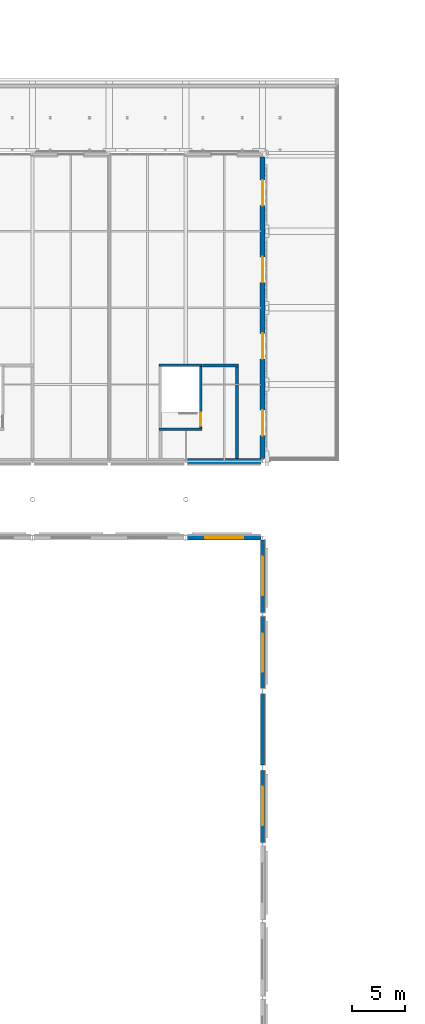
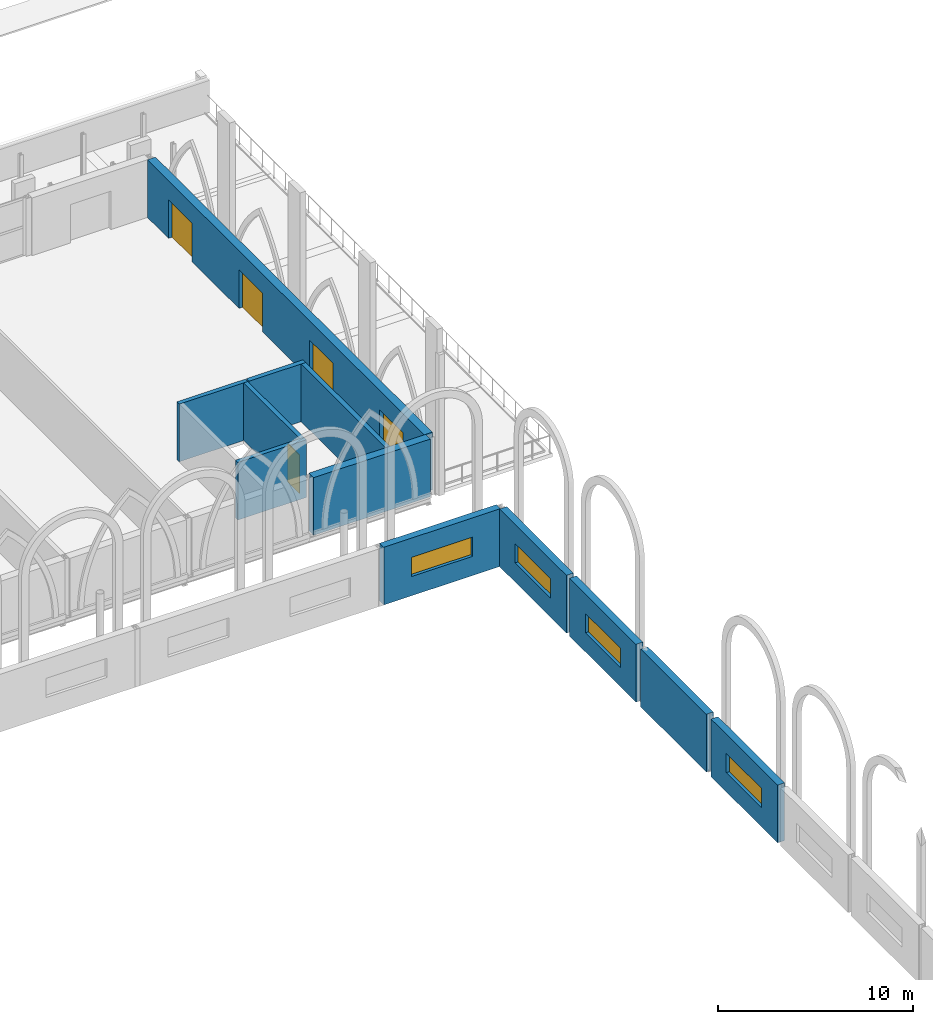
# One storey, part 84 of 143: 12 walls, 5 doors, 4 windows, 9 openings.
"""IFC4 building model written with IfcOpenShell, lengths in metres."""

from ifc_helpers import new_model, si_unit, direction, frame, frame_2d, origin, place, context, subcontext, project, spatial, rectangle, extrude, material, layer, layer_set, type_object, element, fill, save


model = new_model("IFC4")

# Units and contexts
model_context = context("Model", 3, precision=1e-05, world=origin(), true_north=direction((0.0, 1.0)))
body_context = subcontext(model_context, "Body", "Model", "MODEL_VIEW")
ifc_project = project(units=[si_unit("LENGTHUNIT", "METRE"), si_unit("AREAUNIT", "SQUARE_METRE"), si_unit("VOLUMEUNIT", "CUBIC_METRE"), si_unit("PLANEANGLEUNIT", "RADIAN"), si_unit("MASSUNIT", "GRAM", prefix="KILO")], contexts=[model_context])

# Site, building, storey
site_placement = place(None, origin())
site = spatial("IfcSite", under=ifc_project, at=site_placement, CompositionType="ELEMENT")
building_placement = place(site_placement, origin())
building = spatial("IfcBuilding", under=site, at=building_placement, Name="Kupolbacken Congress Centre", CompositionType="ELEMENT")
storey_placement = place(building_placement, frame((0.0, 0.0, 7.199951171875)))
storey = spatial("IfcBuildingStorey", under=building, at=storey_placement, Name="L02", CompositionType="ELEMENT", Elevation=7.199951171875)

# Wall, opening, window
ifc_material_1 = material(Name="Brick", Category="masonry")
ifc_layer_1 = layer(ifc_material_1, 0.10791015625)
ifc_material_2 = material(Name="Air cavity", Category="air")
ifc_layer_2 = layer(ifc_material_2, 0.0400390625, ventilated=True)
ifc_material_3 = material(Name="Mineral wool", Category="insulation")
ifc_layer_3 = layer(ifc_material_3, 0.152099609375)
ifc_material_4 = material(Name="Concrete block", Category="masonry")
ifc_layer_4 = layer(ifc_material_4, 0.1201171875)
ifc_layer_set_1 = layer_set([ifc_layer_1, ifc_layer_2, ifc_layer_3, ifc_layer_4], Name="Brick / Mineral wool / Concrete block")
wall_type_1 = type_object("IfcWallType", Name="EW04 external cavity wall 420", PredefinedType="SOLIDWALL", material=ifc_layer_set_1)
wall_1_placement = place(storey_placement, frame((201.60009765625, 86.544921875, 0.0), z_axis=(0.0, 0.0, 1.0), x_axis=(0.0, 1.0, 0.0)))
wall_1 = element("IfcWall", 1, at=wall_1_placement, inside=storey, type_object=wall_type_1, Name="E/H/E/L02/252", PredefinedType="SOLIDWALL", context=body_context, shape_type="SweptSolid", body=[
    extrude(rectangle(XDim=6.81005859375, YDim=0.419921875, at=frame_2d((3.405029296875, 0.0))), origin(), (0.0, 0.0, 1.0), 3.60009765625),
])
opening_1_placement = place(wall_1_placement, frame((1.655029296875, 0.0, 1.199951171875)))
opening_1 = element("IfcOpeningElement", 2, at=opening_1_placement, cuts=wall_1, Name="Opening W12", PredefinedType="OPENING", context=body_context, shape_type="SweptSolid", body=[
    extrude(rectangle(XDim=3.60009765625, YDim=1.199951171875, at=frame_2d((1.800048828125, 0.60009765625))), frame((0.0, 0.219970703125, 0.0), z_axis=(0.0, -1.0, 0.0), x_axis=(1.0, 0.0, 0.0)), (0.0, 0.0, 1.0), 0.43994140625),
])
ifc_material_5 = material(Name="Aluminium frame with double or triple glazing", Category="aluminium")
window_type = type_object("IfcWindowType", Name="W12 window 3600x1200", PartitioningType="TRIPLE_PANEL_VERTICAL", PredefinedType="WINDOW", material=ifc_material_5)
window_1_placement = place(opening_1_placement, origin())
window_1 = element("IfcWindow", 3, at=window_1_placement, inside=storey, type_object=window_type, Name="E/H/E/L02/252/W1", OverallHeight=1.199951171875, OverallWidth=3.60009765625, PartitioningType="SINGLE_PANEL", PredefinedType="WINDOW", context=body_context, shape_type="SweptSolid", body=[
    extrude(rectangle(XDim=3.60009765625, YDim=1.199951171875, at=frame_2d((1.800048828125, 0.60009765625))), frame((0.0, 0.030029296875, 0.0), z_axis=(0.0, -1.0, 0.0), x_axis=(1.0, 0.0, 0.0)), (0.0, 0.0, 1.0), 0.06005859375),
])
fill(opening_1, window_1)

# Wall
wall_2_placement = place(storey_placement, frame((201.60009765625, 93.844970703125, 0.0), z_axis=(0.0, 0.0, 1.0), x_axis=(0.0, 1.0, 0.0)))
element("IfcWall", 4, at=wall_2_placement, inside=storey, type_object=wall_type_1, Name="E/H/E/L02/253", PredefinedType="SOLIDWALL", context=body_context, shape_type="SweptSolid", body=[
    extrude(rectangle(XDim=6.7099609375, YDim=0.419921875, at=frame_2d((3.35498046875, 0.0))), origin(), (0.0, 0.0, 1.0), 3.60009765625),
])

# Wall, opening, window
wall_3_placement = place(storey_placement, frame((201.60009765625, 101.044921875, 0.0), z_axis=(0.0, 0.0, 1.0), x_axis=(0.0, 1.0, 0.0)))
wall_3 = element("IfcWall", 5, at=wall_3_placement, inside=storey, type_object=wall_type_1, Name="E/H/E/L02/254", PredefinedType="SOLIDWALL", context=body_context, shape_type="SweptSolid", body=[
    extrude(rectangle(XDim=6.81005859375, YDim=0.419921875, at=frame_2d((3.405029296875, 0.0))), origin(), (0.0, 0.0, 1.0), 3.60009765625),
])
opening_2_placement = place(wall_3_placement, frame((1.554931640625, 0.0, 1.199951171875)))
opening_2 = element("IfcOpeningElement", 6, at=opening_2_placement, cuts=wall_3, Name="Opening W12", PredefinedType="OPENING", context=body_context, shape_type="SweptSolid", body=[
    extrude(rectangle(XDim=3.60009765625, YDim=1.199951171875, at=frame_2d((1.800048828125, 0.60009765625))), frame((0.0, 0.219970703125, 0.0), z_axis=(0.0, -1.0, 0.0), x_axis=(1.0, 0.0, 0.0)), (0.0, 0.0, 1.0), 0.43994140625),
])
window_2_placement = place(opening_2_placement, origin())
window_2 = element("IfcWindow", 7, at=window_2_placement, inside=storey, type_object=window_type, Name="E/H/E/L02/254/W1", OverallHeight=1.199951171875, OverallWidth=3.60009765625, PartitioningType="SINGLE_PANEL", PredefinedType="WINDOW", context=body_context, shape_type="SweptSolid", body=[
    extrude(rectangle(XDim=3.60009765625, YDim=1.199951171875, at=frame_2d((1.800048828125, 0.60009765625))), frame((0.0, 0.030029296875, 0.0), z_axis=(0.0, -1.0, 0.0), x_axis=(1.0, 0.0, 0.0)), (0.0, 0.0, 1.0), 0.06005859375),
])
fill(opening_2, window_2)

wall_4_placement = place(storey_placement, frame((201.60009765625, 108.14501953125, 0.0), z_axis=(0.0, 0.0, 1.0), x_axis=(0.0, 1.0, 0.0)))
wall_4 = element("IfcWall", 8, at=wall_4_placement, inside=storey, type_object=wall_type_1, Name="E/H/E/L02/255", PredefinedType="SOLIDWALL", context=body_context, shape_type="SweptSolid", body=[
    extrude(rectangle(XDim=6.844970703125, YDim=0.419921875, at=frame_2d((3.42236328125, 0.0))), origin(), (0.0, 0.0, 1.0), 3.60009765625),
])
opening_3_placement = place(wall_4_placement, frame((1.655029296875, 0.0, 1.199951171875)))
opening_3 = element("IfcOpeningElement", 9, at=opening_3_placement, cuts=wall_4, Name="Opening W12", PredefinedType="OPENING", context=body_context, shape_type="SweptSolid", body=[
    extrude(rectangle(XDim=3.60009765625, YDim=1.199951171875, at=frame_2d((1.800048828125, 0.60009765625))), frame((0.0, 0.219970703125, 0.0), z_axis=(0.0, -1.0, 0.0), x_axis=(1.0, 0.0, 0.0)), (0.0, 0.0, 1.0), 0.43994140625),
])
window_3_placement = place(opening_3_placement, origin())
window_3 = element("IfcWindow", 10, at=window_3_placement, inside=storey, type_object=window_type, Name="E/H/E/L02/255/W1", OverallHeight=1.199951171875, OverallWidth=3.60009765625, PartitioningType="SINGLE_PANEL", PredefinedType="WINDOW", context=body_context, shape_type="SweptSolid", body=[
    extrude(rectangle(XDim=3.60009765625, YDim=1.199951171875, at=frame_2d((1.800048828125, 0.60009765625))), frame((0.0, 0.030029296875, 0.0), z_axis=(0.0, -1.0, 0.0), x_axis=(1.0, 0.0, 0.0)), (0.0, 0.0, 1.0), 0.06005859375),
])
fill(opening_3, window_3)

wall_5_placement = place(storey_placement, frame((201.449951171875, 115.199951171875, 0.0), z_axis=(0.0, 0.0, 1.0), x_axis=(-1.0, 0.0, 0.0)))
wall_5 = element("IfcWall", 11, at=wall_5_placement, inside=storey, type_object=wall_type_1, Name="E/H/N/L02/256", PredefinedType="SOLIDWALL", context=body_context, shape_type="SweptSolid", body=[
    extrude(rectangle(XDim=6.89990234375, YDim=0.419921875, at=frame_2d((3.449951171875, 0.0))), origin(), (0.0, 0.0, 1.0), 3.60009765625),
])
opening_4_placement = place(wall_5_placement, frame((1.64990234375, 0.0, 1.199951171875)))
opening_4 = element("IfcOpeningElement", 12, at=opening_4_placement, cuts=wall_5, Name="Opening W12", PredefinedType="OPENING", context=body_context, shape_type="SweptSolid", body=[
    extrude(rectangle(XDim=3.60009765625, YDim=1.199951171875, at=frame_2d((1.800048828125, 0.60009765625))), frame((0.0, 0.219970703125, 0.0), z_axis=(0.0, -1.0, 0.0), x_axis=(1.0, 0.0, 0.0)), (0.0, 0.0, 1.0), 0.43994140625),
])
window_4_placement = place(opening_4_placement, origin())
window_4 = element("IfcWindow", 13, at=window_4_placement, inside=storey, type_object=window_type, Name="E/H/N/L02/256/W1", OverallHeight=1.199951171875, OverallWidth=3.60009765625, PartitioningType="SINGLE_PANEL", PredefinedType="WINDOW", context=body_context, shape_type="SweptSolid", body=[
    extrude(rectangle(XDim=3.60009765625, YDim=1.199951171875, at=frame_2d((1.800048828125, 0.60009765625))), frame((0.0, 0.030029296875, 0.0), z_axis=(0.0, -1.0, 0.0), x_axis=(1.0, 0.0, 0.0)), (0.0, 0.0, 1.0), 0.06005859375),
])
fill(opening_4, window_4)

# Wall, openings, doors
ifc_material_6 = material(Name="Limestone", Category="masonry")
ifc_layer_5 = layer(ifc_material_6, 0.14990234375)
ifc_layer_6 = layer(ifc_material_2, 0.0400390625, ventilated=True)
ifc_layer_7 = layer(ifc_material_3, 0.169921875)
ifc_layer_8 = layer(ifc_material_4, 0.1201171875)
ifc_layer_set_2 = layer_set([ifc_layer_5, ifc_layer_6, ifc_layer_7, ifc_layer_8], Name="Limestone / Mineral wool / Concrete block")
wall_type_2 = type_object("IfcWallType", Name="EW07 external cavity wall 480", PredefinedType="SOLIDWALL", material=ifc_layer_set_2)
wall_6_placement = place(storey_placement, frame((201.60009765625, 122.639892578125, 0.0), z_axis=(0.0, 0.0, 1.0), x_axis=(0.0, 1.0, 0.0)))
wall_6 = element("IfcWall", 14, at=wall_6_placement, inside=storey, type_object=wall_type_2, Name="E/B/E/L02/204", PredefinedType="SOLIDWALL", context=body_context, shape_type="SweptSolid", body=[
    extrude(rectangle(XDim=28.320068359375, YDim=0.47998046875, at=frame_2d((14.16015625, 0.0))), origin(), (0.0, 0.0, 1.0), 3.60009765625),
])
opening_5_placement = place(wall_6_placement, frame((2.159912109375, 0.0, 0.0)))
opening_5 = element("IfcOpeningElement", 15, at=opening_5_placement, cuts=wall_6, Name="Opening D18", PredefinedType="OPENING", context=body_context, shape_type="SweptSolid", body=[
    extrude(rectangle(XDim=2.39990234375, YDim=2.39990234375, at=frame_2d((1.199951171875, 1.199951171875))), frame((0.0, 0.25, 0.0), z_axis=(0.0, -1.0, 0.0), x_axis=(1.0, 0.0, 0.0)), (0.0, 0.0, 1.0), 0.5),
])
opening_6_placement = place(wall_6_placement, frame((9.360107421875, 0.0, 0.0)))
opening_6 = element("IfcOpeningElement", 16, at=opening_6_placement, cuts=wall_6, Name="Opening D18", PredefinedType="OPENING", context=body_context, shape_type="SweptSolid", body=[
    extrude(rectangle(XDim=2.39990234375, YDim=2.39990234375, at=frame_2d((1.199951171875, 1.199951171875))), frame((0.0, 0.25, 0.0), z_axis=(0.0, -1.0, 0.0), x_axis=(1.0, 0.0, 0.0)), (0.0, 0.0, 1.0), 0.5),
])
opening_7_placement = place(wall_6_placement, frame((16.56005859375, 0.0, 0.0)))
opening_7 = element("IfcOpeningElement", 17, at=opening_7_placement, cuts=wall_6, Name="Opening D18", PredefinedType="OPENING", context=body_context, shape_type="SweptSolid", body=[
    extrude(rectangle(XDim=2.39990234375, YDim=2.39990234375, at=frame_2d((1.199951171875, 1.199951171875))), frame((0.0, 0.25, 0.0), z_axis=(0.0, -1.0, 0.0), x_axis=(1.0, 0.0, 0.0)), (0.0, 0.0, 1.0), 0.5),
])
opening_8_placement = place(wall_6_placement, frame((23.760009765625, 0.0, 0.0)))
opening_8 = element("IfcOpeningElement", 18, at=opening_8_placement, cuts=wall_6, Name="Opening D18", PredefinedType="OPENING", context=body_context, shape_type="SweptSolid", body=[
    extrude(rectangle(XDim=2.39990234375, YDim=2.39990234375, at=frame_2d((1.199951171875, 1.199951171875))), frame((0.0, 0.25, 0.0), z_axis=(0.0, -1.0, 0.0), x_axis=(1.0, 0.0, 0.0)), (0.0, 0.0, 1.0), 0.5),
])
ifc_material_7 = material(Name="Timber door leaf", Category="wood")
door_type_1 = type_object("IfcDoorType", Name="D18 door 2400x2400", OperationType="DOUBLE_DOOR_SINGLE_SWING", PredefinedType="DOOR", material=ifc_material_7)
door_1_placement = place(opening_5_placement, frame((2.39990234375, 0.0, 0.0), z_axis=(0.0, 0.0, 1.0), x_axis=(-1.0, 0.0, 0.0)))
door_1 = element("IfcDoor", 19, at=door_1_placement, inside=storey, type_object=door_type_1, Name="Ballroom exit E1", OperationType="DOUBLE_DOOR_SINGLE_SWING", OverallHeight=2.39990234375, OverallWidth=2.39990234375, PredefinedType="DOOR", context=body_context, shape_type="SweptSolid", body=[
    extrude(rectangle(XDim=2.39990234375, YDim=2.39990234375, at=frame_2d((1.199951171875, 1.199951171875))), frame((0.0, 0.02490234375, 0.0), z_axis=(0.0, -1.0, 0.0), x_axis=(1.0, 0.0, 0.0)), (0.0, 0.0, 1.0), 0.050048828125),
])
fill(opening_5, door_1)
door_2_placement = place(opening_6_placement, frame((2.39990234375, 0.0, 0.0), z_axis=(0.0, 0.0, 1.0), x_axis=(-1.0, 0.0, 0.0)))
door_2 = element("IfcDoor", 20, at=door_2_placement, inside=storey, type_object=door_type_1, Name="Ballroom exit E2", OperationType="DOUBLE_DOOR_SINGLE_SWING", OverallHeight=2.39990234375, OverallWidth=2.39990234375, PredefinedType="DOOR", context=body_context, shape_type="SweptSolid", body=[
    extrude(rectangle(XDim=2.39990234375, YDim=2.39990234375, at=frame_2d((1.199951171875, 1.199951171875))), frame((0.0, 0.02490234375, 0.0), z_axis=(0.0, -1.0, 0.0), x_axis=(1.0, 0.0, 0.0)), (0.0, 0.0, 1.0), 0.050048828125),
])
fill(opening_6, door_2)
door_3_placement = place(opening_7_placement, frame((2.39990234375, 0.0, 0.0), z_axis=(0.0, 0.0, 1.0), x_axis=(-1.0, 0.0, 0.0)))
door_3 = element("IfcDoor", 21, at=door_3_placement, inside=storey, type_object=door_type_1, Name="Ballroom exit E3", OperationType="DOUBLE_DOOR_SINGLE_SWING", OverallHeight=2.39990234375, OverallWidth=2.39990234375, PredefinedType="DOOR", context=body_context, shape_type="SweptSolid", body=[
    extrude(rectangle(XDim=2.39990234375, YDim=2.39990234375, at=frame_2d((1.199951171875, 1.199951171875))), frame((0.0, 0.02490234375, 0.0), z_axis=(0.0, -1.0, 0.0), x_axis=(1.0, 0.0, 0.0)), (0.0, 0.0, 1.0), 0.050048828125),
])
fill(opening_7, door_3)
door_4_placement = place(opening_8_placement, frame((2.39990234375, 0.0, 0.0), z_axis=(0.0, 0.0, 1.0), x_axis=(-1.0, 0.0, 0.0)))
door_4 = element("IfcDoor", 22, at=door_4_placement, inside=storey, type_object=door_type_1, Name="Ballroom exit E4", OperationType="DOUBLE_DOOR_SINGLE_SWING", OverallHeight=2.39990234375, OverallWidth=2.39990234375, PredefinedType="DOOR", context=body_context, shape_type="SweptSolid", body=[
    extrude(rectangle(XDim=2.39990234375, YDim=2.39990234375, at=frame_2d((1.199951171875, 1.199951171875))), frame((0.0, 0.02490234375, 0.0), z_axis=(0.0, -1.0, 0.0), x_axis=(1.0, 0.0, 0.0)), (0.0, 0.0, 1.0), 0.050048828125),
])
fill(opening_8, door_4)

# Walls
wall_7_placement = place(storey_placement, frame((194.550048828125, 122.39990234375, 0.0), z_axis=(0.0, 0.0, 1.0), x_axis=(1.0, 0.0, 0.0)))
element("IfcWall", 23, at=wall_7_placement, inside=storey, type_object=wall_type_2, Name="E/B/S/L02/218", PredefinedType="SOLIDWALL", context=body_context, shape_type="SweptSolid", body=[
    extrude(rectangle(XDim=6.89990234375, YDim=0.47998046875, at=frame_2d((3.449951171875, 0.0))), origin(), (0.0, 0.0, 1.0), 3.60009765625),
])
ifc_material_8 = material(Name="Gypsum board", Category="drywall")
ifc_layer_9 = layer(ifc_material_8, 0.27490234375)
ifc_layer_set_3 = layer_set([ifc_layer_9], Name="Gypsum board")
wall_type_3 = type_object("IfcWallType", Name="P12 partition 275", PredefinedType="PARTITIONING", material=ifc_layer_set_3)
wall_8_placement = place(storey_placement, frame((195.985107421875, 131.39990234375, 0.0), z_axis=(0.0, 0.0, 1.0), x_axis=(1.0, 0.0, 0.0)))
element("IfcWall", 24, at=wall_8_placement, inside=storey, type_object=wall_type_3, Name="PD/L02/W012", PredefinedType="PARTITIONING", context=body_context, shape_type="SweptSolid", body=[
    extrude(rectangle(XDim=3.352294921875, YDim=0.27490234375, at=frame_2d((1.67626953125, 0.0))), origin(), (0.0, 0.0, 1.0), 3.60009765625),
])
wall_9_placement = place(storey_placement, frame((199.199951171875, 131.262451171875, 0.0), z_axis=(0.0, 0.0, 1.0), x_axis=(0.0, -1.0, 0.0)))
element("IfcWall", 25, at=wall_9_placement, inside=storey, type_object=wall_type_3, Name="PD/L02/W013", PredefinedType="PARTITIONING", context=body_context, shape_type="SweptSolid", body=[
    extrude(rectangle(XDim=8.62255859375, YDim=0.27490234375, at=frame_2d((4.311279296875, 0.0))), origin(), (0.0, 0.0, 1.0), 3.60009765625),
])
ifc_material_9 = material(Name="Concrete C40/50", Category="concrete")
ifc_layer_10 = layer(ifc_material_9, 0.25)
ifc_layer_set_4 = layer_set([ifc_layer_10], Name="Concrete C40/50")
wall_type_4 = type_object("IfcWallType", Name="WC2 RC stair enclosure wall 250", PredefinedType="SHEAR", material=ifc_layer_set_4)
wall_10_placement = place(storey_placement, frame((191.875, 125.39990234375, 0.0), z_axis=(0.0, 0.0, 1.0), x_axis=(1.0, 0.0, 0.0)))
element("IfcWall", 26, at=wall_10_placement, inside=storey, type_object=wall_type_4, Name="Stair enclosure wall L02-088", PredefinedType="SHEAR", context=body_context, shape_type="SweptSolid", body=[
    extrude(rectangle(XDim=4.050048828125, YDim=0.25, at=frame_2d((2.02490234375, 0.0))), origin(), (0.0, 0.0, 1.0), 3.60009765625),
])

# Wall, opening, door
wall_11_placement = place(storey_placement, frame((195.800048828125, 125.27490234375, 0.0), z_axis=(0.0, 0.0, 1.0), x_axis=(0.0, 1.0, 0.0)))
wall_11 = element("IfcWall", 27, at=wall_11_placement, inside=storey, type_object=wall_type_4, Name="Stair enclosure wall L02-089", PredefinedType="SHEAR", context=body_context, shape_type="SweptSolid", body=[
    extrude(rectangle(XDim=6.25, YDim=0.25, at=frame_2d((3.125, 0.0))), origin(), (0.0, 0.0, 1.0), 3.60009765625),
])
opening_9_placement = place(wall_11_placement, frame((0.47509765625, 0.0, 0.0)))
opening_9 = element("IfcOpeningElement", 28, at=opening_9_placement, cuts=wall_11, Name="Opening 2.B01", PredefinedType="OPENING", context=body_context, shape_type="SweptSolid", body=[
    extrude(rectangle(XDim=1.199951171875, YDim=2.39990234375, at=frame_2d((0.60009765625, 1.199951171875))), frame((0.0, 0.135009765625, 0.0), z_axis=(0.0, -1.0, 0.0), x_axis=(1.0, 0.0, 0.0)), (0.0, 0.0, 1.0), 0.27001953125),
])
ifc_material_10 = material(Name="Steel fire door leaf", Category="steel")
door_type_2 = type_object("IfcDoorType", Name="D9 fire door 1200x2400", OperationType="SINGLE_SWING_LEFT", PredefinedType="DOOR", material=ifc_material_10)
door_5_placement = place(opening_9_placement, origin())
door_5 = element("IfcDoor", 29, at=door_5_placement, inside=storey, type_object=door_type_2, Name="S/core/L02/089/D2B01", OperationType="SINGLE_SWING_RIGHT", OverallHeight=2.39990234375, OverallWidth=1.199951171875, PredefinedType="DOOR", context=body_context, shape_type="SweptSolid", body=[
    extrude(rectangle(XDim=1.199951171875, YDim=2.39990234375, at=frame_2d((0.60009765625, 1.199951171875))), frame((0.0, 0.02490234375, 0.0), z_axis=(0.0, -1.0, 0.0), x_axis=(1.0, 0.0, 0.0)), (0.0, 0.0, 1.0), 0.050048828125),
])
fill(opening_9, door_5)

# Wall
wall_12_placement = place(storey_placement, frame((195.925048828125, 131.39990234375, 0.0), z_axis=(0.0, 0.0, 1.0), x_axis=(-1.0, 0.0, 0.0)))
element("IfcWall", 30, at=wall_12_placement, inside=storey, type_object=wall_type_4, Name="Stair enclosure wall L02-107", PredefinedType="SHEAR", context=body_context, shape_type="SweptSolid", body=[
    extrude(rectangle(XDim=4.050048828125, YDim=0.25, at=frame_2d((2.02490234375, 0.0))), origin(), (0.0, 0.0, 1.0), 3.60009765625),
])

save(model, "model.ifc")
